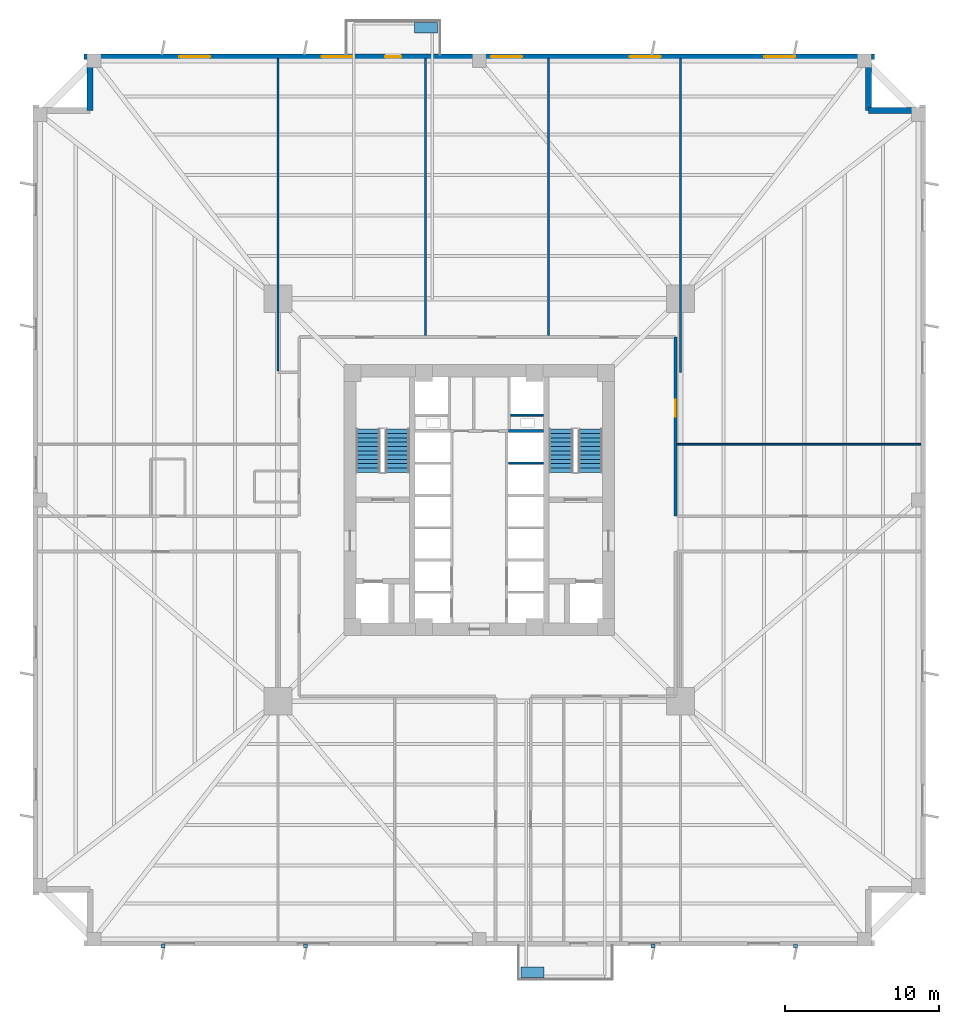
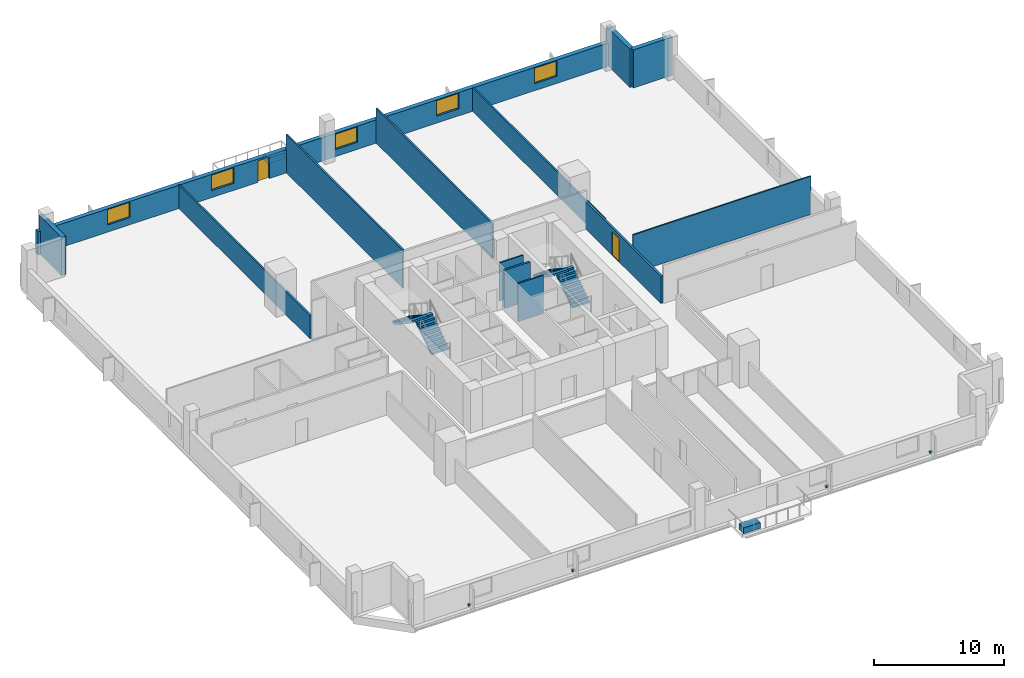
# One storey, part 5 of 8: 13 walls, 6 discrete accessories, 5 windows, 4 stair flights, 2 doors, 7 openings, 2 elements without a shape of their own.
"""IFC4 building model written with IfcOpenShell, lengths in metres."""

from ifc_helpers import new_model, si_unit, direction, frame, frame_2d, origin, origin_2d, place, context, subcontext, project, spatial, polyline, rectangle, outline, extrude, source, transform, mapped, material, layer, layer_set, type_object, element, fill, aggregate, save


model = new_model("IFC4")

# Units and contexts
model_context = context("Model", 3, precision=1e-05, world=origin(), true_north=direction((0.0, 1.0)))
body_context = subcontext(model_context, "Body", "Model", "MODEL_VIEW")
ifc_project = project(units=[si_unit("LENGTHUNIT", "METRE"), si_unit("AREAUNIT", "SQUARE_METRE"), si_unit("VOLUMEUNIT", "CUBIC_METRE"), si_unit("PLANEANGLEUNIT", "RADIAN"), si_unit("MASSUNIT", "GRAM", prefix="KILO"), si_unit("THERMODYNAMICTEMPERATUREUNIT", "KELVIN")], contexts=[model_context])

# Site, building, storey
site_placement = place(None, origin())
site = spatial("IfcSite", under=ifc_project, at=site_placement, CompositionType="ELEMENT")
building_placement = place(site_placement, origin())
building = spatial("IfcBuilding", under=site, at=building_placement, Name="Kosmvard Interchange Tower", CompositionType="ELEMENT")
storey_placement = place(building_placement, frame((0.0, 0.0, 74.0)))
storey = spatial("IfcBuildingStorey", under=building, at=storey_placement, Name="L17", CompositionType="ELEMENT", Elevation=74.0)

# Walls
ifc_material_1 = material(Name="Acoustic gypsum partition system")
ifc_layer_1 = layer(ifc_material_1, 0.14990234375, Name="Acoustic gypsum partition system")
ifc_layer_set_1 = layer_set([ifc_layer_1], Name="Acoustic gypsum partition system")
wall_type_1 = type_object("IfcWallType", Name="Acoustic Suite & Meeting Partition 150", PredefinedType="PARTITIONING", material=ifc_layer_set_1)
wall_1_placement = place(storey_placement, frame((-13.0810546875, 8.375, 0.0), z_axis=(0.0, 0.0, 1.0), x_axis=(0.0, 1.0, 0.0)))
element("IfcWall", 1, at=wall_1_placement, inside=storey, type_object=wall_type_1, Name="L17 Room Partition 02.1", PredefinedType="PARTITIONING", context=body_context, shape_type="SweptSolid", body=[
    extrude(rectangle(XDim=20.31005859375, YDim=0.14990234375, at=frame_2d((10.155029296875, 0.0))), origin(), (0.0, 0.0, 1.0), 2.199951171875),
])
wall_2_placement = place(storey_placement, frame((-3.5, 10.695068359375, 0.0), z_axis=(0.0, 0.0, 1.0), x_axis=(0.0, 1.0, 0.0)))
element("IfcWall", 2, at=wall_2_placement, inside=storey, type_object=wall_type_1, Name="L17 Room Partition 03.1", PredefinedType="PARTITIONING", context=body_context, shape_type="SweptSolid", body=[
    extrude(rectangle(XDim=17.989990234375, YDim=0.14990234375, at=frame_2d((8.9951171875, 0.0))), origin(), (0.0, 0.0, 1.0), 3.60009765625),
])
wall_3_placement = place(storey_placement, frame((4.5, 10.695068359375, 0.0), z_axis=(0.0, 0.0, 1.0), x_axis=(0.0, 1.0, 0.0)))
element("IfcWall", 3, at=wall_3_placement, inside=storey, type_object=wall_type_1, Name="L17 Room Partition 04.1", PredefinedType="PARTITIONING", context=body_context, shape_type="SweptSolid", body=[
    extrude(rectangle(XDim=17.989990234375, YDim=0.14990234375, at=frame_2d((8.9951171875, 0.0))), origin(), (0.0, 0.0, 1.0), 3.27001953125),
])
wall_4_placement = place(storey_placement, frame((13.0810546875, 8.300048828125, 0.0), z_axis=(0.0, 0.0, 1.0), x_axis=(0.0, 1.0, 0.0)))
element("IfcWall", 4, at=wall_4_placement, inside=storey, type_object=wall_type_1, Name="L17 Room Partition 06.1", PredefinedType="PARTITIONING", context=body_context, shape_type="SweptSolid", body=[
    extrude(rectangle(XDim=20.385009765625, YDim=0.14990234375, at=frame_2d((10.1923828125, 0.0))), origin(), (0.0, 0.0, 1.0), 2.199951171875),
])

# Wall, opening, door
ifc_material_2 = material(Name="Fire-rated gypsum partition system")
ifc_layer_2 = layer(ifc_material_2, 0.179931640625, Name="Fire-rated gypsum partition system")
ifc_layer_set_2 = layer_set([ifc_layer_2], Name="Fire-rated gypsum partition system")
wall_type_2 = type_object("IfcWallType", Name="Corridor & Hotel Compartment Partition 180", PredefinedType="PARTITIONING", material=ifc_layer_set_2)
wall_5_placement = place(storey_placement, frame((12.75, -1.050048828125, 0.0), z_axis=(0.0, 0.0, 1.0), x_axis=(0.0, 1.0, 0.0)))
wall_5 = element("IfcWall", 5, at=wall_5_placement, inside=storey, type_object=wall_type_2, Name="L17 Corridor Wall CEN", PredefinedType="PARTITIONING", context=body_context, shape_type="SweptSolid", body=[
    extrude(rectangle(XDim=11.650146484375, YDim=0.179931640625, at=frame_2d((5.8251953125, 0.0))), origin(), (0.0, 0.0, 1.0), 2.56005859375),
])
opening_1_placement = place(wall_5_placement, frame((6.46240234375, 0.0, 0.0)))
opening_1 = element("IfcOpeningElement", 6, at=opening_1_placement, cuts=wall_5, Name="Opening L17-D09", PredefinedType="OPENING", context=body_context, shape_type="SweptSolid", body=[
    extrude(rectangle(XDim=1.10009765625, YDim=2.199951171875, at=frame_2d((0.550048828125, 1.10009765625))), frame((0.0, 0.10009765625, 0.0), z_axis=(0.0, -1.0, 0.0), x_axis=(1.0, 0.0, 0.0)), (0.0, 0.0, 1.0), 0.199951171875),
])
ifc_material_3 = material(Name="Engineered oak fire-rated timber", Category="wood")
door_type_1 = type_object("IfcDoorType", Name="Office Suite Entrance Door 1100x2200 FD30S", OperationType="NOTDEFINED", PredefinedType="DOOR", material=ifc_material_3)
shared_shape_1 = source(origin(), body_context, "Body", "SweptSolid", [
    extrude(rectangle(XDim=1.10009765625, YDim=2.199951171875, at=frame_2d((0.550048828125, 1.10009765625))), frame((0.0, 0.02490234375, 0.0), z_axis=(0.0, -1.0, 0.0), x_axis=(1.0, 0.0, 0.0)), (0.0, 0.0, 1.0), 0.050048828125),
])
door_1_placement = place(opening_1_placement, frame((1.10009765625, 0.0, 0.0), z_axis=(0.0, 0.0, 1.0), x_axis=(-1.0, 0.0, 0.0)))
door_1 = element("IfcDoor", 7, at=door_1_placement, inside=storey, type_object=door_type_1, Name="L17 East Operations Office 2 Door", OperationType="SINGLE_SWING_LEFT", OverallHeight=2.199951171875, OverallWidth=1.10009765625, PredefinedType="DOOR", context=body_context, shape_type="MappedRepresentation", body=[
    mapped(shared_shape_1, transform((0.0, 0.0, 0.0), scale=1.0)),
])
fill(opening_1, door_1)

# Walls
ifc_material_4 = material(Name="Precast concrete C45/55", Category="concrete")
ifc_layer_3 = layer(ifc_material_4, 0.3798828125, Name="Precast concrete C45/55")
ifc_layer_set_3 = layer_set([ifc_layer_3], Name="Precast concrete C45/55")
wall_type_3 = type_object("IfcWallType", Name="Lower Tower Precast Pier Wall 380 C45/55", PredefinedType="STANDARD", material=ifc_layer_set_3)
wall_6_placement = place(storey_placement, frame((28.81005859375, 25.31005859375, 0.0), z_axis=(0.0, 0.0, 1.0), x_axis=(-1.0, 0.0, 0.0)))
element("IfcWall", 8, at=wall_6_placement, inside=storey, type_object=wall_type_3, Name="L17 Precast Facade Wall N-NE1", PredefinedType="STANDARD", context=body_context, shape_type="SweptSolid", body=[
    extrude(rectangle(XDim=3.5, YDim=0.3798828125, at=frame_2d((1.75, 0.0))), origin(), (0.0, 0.0, 1.0), 3.60009765625),
])
wall_7_placement = place(storey_placement, frame((25.31005859375, 25.31005859375, 0.0), z_axis=(0.0, 0.0, 1.0), x_axis=(0.0, 1.0, 0.0)))
element("IfcWall", 9, at=wall_7_placement, inside=storey, type_object=wall_type_3, Name="L17 Precast Facade Wall N-NE2", PredefinedType="STANDARD", context=body_context, shape_type="SweptSolid", body=[
    extrude(rectangle(XDim=3.68994140625, YDim=0.3798828125, at=frame_2d((1.844970703125, 0.0))), origin(), (0.0, 0.0, 1.0), 3.60009765625),
])

# Wall, openings, windows, door
wall_8_placement = place(storey_placement, frame((25.68994140625, 28.81005859375, 0.0), z_axis=(0.0, 0.0, 1.0), x_axis=(-1.0, 0.0, 0.0)))
wall_8 = element("IfcWall", 10, at=wall_8_placement, inside=storey, type_object=wall_type_3, Name="L17 Precast Facade Wall F-N", PredefinedType="STANDARD", context=body_context, shape_type="SweptSolid", body=[
    extrude(rectangle(XDim=51.3798828125, YDim=0.3798828125, at=frame_2d((25.68994140625, 0.0))), origin(), (0.0, 0.0, 1.0), 2.199951171875),
])
opening_2_placement = place(wall_8_placement, frame((30.764892578125, 0.0, 0.0)))
opening_2 = element("IfcOpeningElement", 11, at=opening_2_placement, cuts=wall_8, Name="Opening L17-BDE", PredefinedType="OPENING", context=body_context, shape_type="SweptSolid", body=[
    extrude(rectangle(XDim=1.050048828125, YDim=2.02001953125, at=frame_2d((0.52490234375, 1.010009765625))), frame((0.0, 0.199951171875, 0.0), z_axis=(0.0, -1.0, 0.0), x_axis=(1.0, 0.0, 0.0)), (0.0, 0.0, 1.0), 0.39990234375),
])
opening_3_placement = place(wall_8_placement, frame((5.16552734375, 0.0, 0.669921875)))
opening_3 = element("IfcOpeningElement", 12, at=opening_3_placement, cuts=wall_8, Name="Opening L17-W10", PredefinedType="OPENING", context=body_context, shape_type="SweptSolid", body=[
    extrude(rectangle(XDim=2.0, YDim=1.449951171875, at=frame_2d((1.0, 0.72509765625))), frame((0.0, 0.199951171875, 0.0), z_axis=(0.0, -1.0, 0.0), x_axis=(1.0, 0.0, 0.0)), (0.0, 0.0, 1.0), 0.39990234375),
])
opening_4_placement = place(wall_8_placement, frame((13.900146484375, 0.0, 0.669921875)))
opening_4 = element("IfcOpeningElement", 13, at=opening_4_placement, cuts=wall_8, Name="Opening L17-W11", PredefinedType="OPENING", context=body_context, shape_type="SweptSolid", body=[
    extrude(rectangle(XDim=2.0, YDim=1.449951171875, at=frame_2d((1.0, 0.72509765625))), frame((0.0, 0.199951171875, 0.0), z_axis=(0.0, -1.0, 0.0), x_axis=(1.0, 0.0, 0.0)), (0.0, 0.0, 1.0), 0.39990234375),
])
opening_5_placement = place(wall_8_placement, frame((22.912353515625, 0.0, 0.669921875)))
opening_5 = element("IfcOpeningElement", 14, at=opening_5_placement, cuts=wall_8, Name="Opening L17-W12", PredefinedType="OPENING", context=body_context, shape_type="SweptSolid", body=[
    extrude(rectangle(XDim=2.0, YDim=1.449951171875, at=frame_2d((1.0, 0.72509765625))), frame((0.0, 0.199951171875, 0.0), z_axis=(0.0, -1.0, 0.0), x_axis=(1.0, 0.0, 0.0)), (0.0, 0.0, 1.0), 0.39990234375),
])
opening_6_placement = place(wall_8_placement, frame((33.9384765625, 0.0, 0.669921875)))
opening_6 = element("IfcOpeningElement", 15, at=opening_6_placement, cuts=wall_8, Name="Opening L17-W13", PredefinedType="OPENING", context=body_context, shape_type="SweptSolid", body=[
    extrude(rectangle(XDim=2.0, YDim=1.449951171875, at=frame_2d((1.0, 0.72509765625))), frame((0.0, 0.199951171875, 0.0), z_axis=(0.0, -1.0, 0.0), x_axis=(1.0, 0.0, 0.0)), (0.0, 0.0, 1.0), 0.39990234375),
])
opening_7_placement = place(wall_8_placement, frame((43.186767578125, 0.0, 0.669921875)))
opening_7 = element("IfcOpeningElement", 16, at=opening_7_placement, cuts=wall_8, Name="Opening L17-W14", PredefinedType="OPENING", context=body_context, shape_type="SweptSolid", body=[
    extrude(rectangle(XDim=2.0, YDim=1.449951171875, at=frame_2d((1.0, 0.72509765625))), frame((0.0, 0.199951171875, 0.0), z_axis=(0.0, -1.0, 0.0), x_axis=(1.0, 0.0, 0.0)), (0.0, 0.0, 1.0), 0.39990234375),
])
ifc_material_5 = material(Name="Low-E solar-control double glazing", Category="glass")
window_type = type_object("IfcWindowType", Name="Transfer Zone Punched Window 2000x1450", PartitioningType="SINGLE_PANEL", PredefinedType="WINDOW", material=ifc_material_5)
shared_shape_2 = source(origin(), body_context, "Body", "SweptSolid", [
    extrude(rectangle(XDim=2.0, YDim=1.449951171875, at=frame_2d((1.0, 0.72509765625))), frame((0.0, 0.030029296875, 0.0), z_axis=(0.0, -1.0, 0.0), x_axis=(1.0, 0.0, 0.0)), (0.0, 0.0, 1.0), 0.06005859375),
])
window_1_placement = place(opening_3_placement, origin())
window_1 = element("IfcWindow", 17, at=window_1_placement, inside=storey, type_object=window_type, Name="L17 Facade Punched Window 10", OverallHeight=1.449951171875, OverallWidth=2.0, PartitioningType="SINGLE_PANEL", PredefinedType="WINDOW", context=body_context, shape_type="MappedRepresentation", body=[
    mapped(shared_shape_2, transform((0.0, 0.0, 0.0), scale=1.0)),
])
fill(opening_3, window_1)
window_2_placement = place(opening_4_placement, origin())
window_2 = element("IfcWindow", 18, at=window_2_placement, inside=storey, type_object=window_type, Name="L17 Facade Punched Window 11", OverallHeight=1.449951171875, OverallWidth=2.0, PartitioningType="SINGLE_PANEL", PredefinedType="WINDOW", context=body_context, shape_type="MappedRepresentation", body=[
    mapped(shared_shape_2, transform((0.0, 0.0, 0.0), scale=1.0)),
])
fill(opening_4, window_2)
window_3_placement = place(opening_5_placement, origin())
window_3 = element("IfcWindow", 19, at=window_3_placement, inside=storey, type_object=window_type, Name="L17 Facade Punched Window 12", OverallHeight=1.449951171875, OverallWidth=2.0, PartitioningType="SINGLE_PANEL", PredefinedType="WINDOW", context=body_context, shape_type="MappedRepresentation", body=[
    mapped(shared_shape_2, transform((0.0, 0.0, 0.0), scale=1.0)),
])
fill(opening_5, window_3)
window_4_placement = place(opening_6_placement, origin())
window_4 = element("IfcWindow", 20, at=window_4_placement, inside=storey, type_object=window_type, Name="L17 Facade Punched Window 13", OverallHeight=1.449951171875, OverallWidth=2.0, PartitioningType="SINGLE_PANEL", PredefinedType="WINDOW", context=body_context, shape_type="MappedRepresentation", body=[
    mapped(shared_shape_2, transform((0.0, 0.0, 0.0), scale=1.0)),
])
fill(opening_6, window_4)
window_5_placement = place(opening_7_placement, origin())
window_5 = element("IfcWindow", 21, at=window_5_placement, inside=storey, type_object=window_type, Name="L17 Facade Punched Window 14", OverallHeight=1.449951171875, OverallWidth=2.0, PartitioningType="SINGLE_PANEL", PredefinedType="WINDOW", context=body_context, shape_type="MappedRepresentation", body=[
    mapped(shared_shape_2, transform((0.0, 0.0, 0.0), scale=1.0)),
])
fill(opening_7, window_5)
ifc_material_6 = material(Name="Anodised aluminium and safety glass", Category="aluminium")
door_type_2 = type_object("IfcDoorType", Name="Tree-Balcony Glazed Door 1050x2250", OperationType="NOTDEFINED", PredefinedType="DOOR", material=ifc_material_6)
shared_shape_3 = source(origin(), body_context, "Body", "SweptSolid", [
    extrude(rectangle(XDim=1.050048828125, YDim=2.02001953125, at=frame_2d((0.52490234375, 1.010009765625))), frame((0.0, 0.02490234375, 0.0), z_axis=(0.0, -1.0, 0.0), x_axis=(1.0, 0.0, 0.0)), (0.0, 0.0, 1.0), 0.050048828125),
])
door_2_placement = place(opening_2_placement, origin())
door_2 = element("IfcDoor", 22, at=door_2_placement, inside=storey, type_object=door_type_2, Name="L17 Tree-Balcony Door BAL-L17-NE", OperationType="SINGLE_SWING_RIGHT", OverallHeight=2.02001953125, OverallWidth=1.050048828125, PredefinedType="DOOR", context=body_context, shape_type="MappedRepresentation", body=[
    mapped(shared_shape_3, transform((0.0, 0.0, 0.0), scale=1.0)),
])
fill(opening_2, door_2)

# Walls
wall_9_placement = place(storey_placement, frame((-25.31005859375, 28.81005859375, 0.0), z_axis=(0.0, 0.0, 1.0), x_axis=(0.0, -1.0, 0.0)))
element("IfcWall", 23, at=wall_9_placement, inside=storey, type_object=wall_type_3, Name="L17 Precast Facade Wall N-NW1", PredefinedType="STANDARD", context=body_context, shape_type="SweptSolid", body=[
    extrude(rectangle(XDim=3.5, YDim=0.3798828125, at=frame_2d((1.75, 0.0))), origin(), (0.0, 0.0, 1.0), 3.60009765625),
])
ifc_material_7 = material(Name="Gypsum board partition system")
ifc_layer_4 = layer(ifc_material_7, 0.1201171875, Name="Gypsum board partition system")
ifc_layer_set_4 = layer_set([ifc_layer_4], Name="Gypsum board partition system")
wall_type_4 = type_object("IfcWallType", Name="Office Cellular Partition 120", PredefinedType="PARTITIONING", material=ifc_layer_set_4)
wall_10_placement = place(storey_placement, frame((12.844970703125, 3.625, 0.0), z_axis=(0.0, 0.0, 1.0), x_axis=(1.0, 0.0, 0.0)))
element("IfcWall", 24, at=wall_10_placement, inside=storey, type_object=wall_type_4, Name="L17 Room Partition 08.1", PredefinedType="PARTITIONING", context=body_context, shape_type="SweptSolid", body=[
    extrude(rectangle(XDim=15.840087890625, YDim=0.1201171875, at=frame_2d((7.919921875, 0.0))), origin(), (0.0, 0.0, 1.0), 3.60009765625),
])
ifc_material_8 = material(Name="Concrete blockwork masonry", Category="masonry")
ifc_layer_5 = layer(ifc_material_8, 0.179931640625, Name="Concrete blockwork masonry")
ifc_layer_set_5 = layer_set([ifc_layer_5], Name="Concrete blockwork masonry")
wall_type_5 = type_object("IfcWallType", Name="Riser & Lift Bank Divider Wall 180", PredefinedType="PARTITIONING", material=ifc_layer_set_5)
wall_11_placement = place(storey_placement, frame((1.889892578125, 4.489990234375, 0.0), z_axis=(0.0, 0.0, 1.0), x_axis=(1.0, 0.0, 0.0)))
element("IfcWall", 25, at=wall_11_placement, inside=storey, type_object=wall_type_5, Name="L17 East Bank Divider BD3", PredefinedType="PARTITIONING", context=body_context, shape_type="SweptSolid", body=[
    extrude(rectangle(XDim=2.280029296875, YDim=0.179931640625, at=frame_2d((1.14013671875, 0.0))), origin(), (0.0, 0.0, 1.0), 3.60009765625),
])
ifc_material_9 = material(Name="Fire-rated gypsum shaftwall system")
ifc_layer_6 = layer(ifc_material_9, 0.1201171875, Name="Fire-rated gypsum shaftwall system")
ifc_layer_set_6 = layer_set([ifc_layer_6], Name="Fire-rated gypsum shaftwall system")
wall_type_6 = type_object("IfcWallType", Name="Shaft & Riser Fire Partition 120 EI60", PredefinedType="PARTITIONING", material=ifc_layer_set_6)
wall_12_placement = place(storey_placement, frame((1.89990234375, 2.39990234375, 0.0), z_axis=(0.0, 0.0, 1.0), x_axis=(1.0, 0.0, 0.0)))
element("IfcWall", 26, at=wall_12_placement, inside=storey, type_object=wall_type_6, Name="L17 Shaft Divider PL-H3", PredefinedType="PARTITIONING", context=body_context, shape_type="SweptSolid", body=[
    extrude(rectangle(XDim=2.260009765625, YDim=0.1201171875, at=frame_2d((1.1298828125, 0.0))), origin(), (0.0, 0.0, 1.0), 3.60009765625),
])
wall_13_placement = place(storey_placement, frame((2.06005859375, 5.52001953125, 0.0), z_axis=(0.0, 0.0, 1.0), x_axis=(1.0, 0.0, 0.0)))
element("IfcWall", 27, at=wall_13_placement, inside=storey, type_object=wall_type_6, Name="L17 Riser Shaft Divider E", PredefinedType="PARTITIONING", context=body_context, shape_type="SweptSolid", body=[
    extrude(rectangle(XDim=2.099853515625, YDim=0.1201171875, at=frame_2d((1.0498046875, 0.0))), origin(), (0.0, 0.0, 1.0), 3.60009765625),
])

# Stair, stair flights
ifc_material_10 = material(Name="Concrete C50/60", Category="concrete")
stair_type = type_object("IfcStairType", Name="Dog-Leg Core Exit Stair H4000 C50/60", PredefinedType="HALF_TURN_STAIR", material=ifc_material_10)
stair_1_placement = place(storey_placement, origin())
stair_1 = element("IfcStair", 28, at=stair_1_placement, inside=storey, type_object=stair_type, Name="L17 Protected Exit Stair ST-1", PredefinedType="HALF_TURN_STAIR")
stair_flight_type = type_object("IfcStairFlightType", Name="Core Stair Flight W1550 H4000 C50/60", PredefinedType="STRAIGHT", material=ifc_material_10)
shared_shape_4 = source(origin(), body_context, "Body", "SweptSolid", [
    extrude(outline(polyline([(0.0, 0.0), (0.0, 0.181884765625), (0.280029296875, 0.181884765625), (0.280029296875, 0.363525390625), (0.56005859375, 0.363525390625), (0.56005859375, 0.54541015625), (0.840087890625, 0.54541015625), (0.840087890625, 0.727294921875), (1.1201171875, 0.727294921875), (1.1201171875, 0.9091796875), (1.39990234375, 0.9091796875), (1.39990234375, 1.0908203125), (1.679931640625, 1.0908203125), (1.679931640625, 1.272705078125), (1.9599609375, 1.272705078125), (1.9599609375, 1.45458984375), (2.239990234375, 1.45458984375), (2.239990234375, 1.636474609375), (2.52001953125, 1.636474609375), (2.52001953125, 1.818115234375), (2.800048828125, 1.818115234375), (2.800048828125, 2.0), (2.800048828125, 1.62744140625), (0.293701171875, 0.0), (0.0, 0.0)])), frame((0.0, 0.77490234375, 0.0), z_axis=(0.0, -1.0, 0.0), x_axis=(1.0, 0.0, 0.0)), (0.0, 0.0, 1.0), 1.550048828125),
])
stair_flight_1_placement = place(storey_placement, frame((-5.31494140625, 1.800048828125, 0.0), z_axis=(0.0, 0.0, 1.0), x_axis=(0.0, 1.0, 0.0)))
stair_flight_1 = element("IfcStairFlight", 29, at=stair_flight_1_placement, type_object=stair_flight_type, Name="ST-1 flight 1", NumberOfRisers=11, NumberOfTreads=10, PredefinedType="STRAIGHT", RiserHeight=0.181818182, TreadLength=0.28, context=body_context, shape_type="MappedRepresentation", body=[
    mapped(shared_shape_4, transform((0.0, 0.0, 0.0), scale=1.0)),
])
stair_flight_2_placement = place(storey_placement, frame((-7.22509765625, 4.60009765625, 2.0), z_axis=(0.0, 0.0, 1.0), x_axis=(0.0, -1.0, 0.0)))
stair_flight_2 = element("IfcStairFlight", 30, at=stair_flight_2_placement, type_object=stair_flight_type, Name="ST-1 flight 2", NumberOfRisers=11, NumberOfTreads=10, PredefinedType="STRAIGHT", RiserHeight=0.181818182, TreadLength=0.28, context=body_context, shape_type="MappedRepresentation", body=[
    mapped(shared_shape_4, transform((0.0, 0.0, 0.0), scale=1.0)),
])
aggregate(stair_1, [stair_flight_1, stair_flight_2])

stair_2_placement = place(storey_placement, origin())
stair_2 = element("IfcStair", 31, at=stair_2_placement, inside=storey, type_object=stair_type, Name="L17 Protected Exit Stair ST-2", PredefinedType="HALF_TURN_STAIR")
stair_flight_3_placement = place(storey_placement, frame((7.22509765625, 1.800048828125, 0.0), z_axis=(0.0, 0.0, 1.0), x_axis=(0.0, 1.0, 0.0)))
stair_flight_3 = element("IfcStairFlight", 32, at=stair_flight_3_placement, type_object=stair_flight_type, Name="ST-2 flight 1", NumberOfRisers=11, NumberOfTreads=10, PredefinedType="STRAIGHT", RiserHeight=0.181818182, TreadLength=0.28, context=body_context, shape_type="MappedRepresentation", body=[
    mapped(shared_shape_4, transform((0.0, 0.0, 0.0), scale=1.0)),
])
stair_flight_4_placement = place(storey_placement, frame((5.31494140625, 4.60009765625, 2.0), z_axis=(0.0, 0.0, 1.0), x_axis=(0.0, -1.0, 0.0)))
stair_flight_4 = element("IfcStairFlight", 33, at=stair_flight_4_placement, type_object=stair_flight_type, Name="ST-2 flight 2", NumberOfRisers=11, NumberOfTreads=10, PredefinedType="STRAIGHT", RiserHeight=0.181818182, TreadLength=0.28, context=body_context, shape_type="MappedRepresentation", body=[
    mapped(shared_shape_4, transform((0.0, 0.0, 0.0), scale=1.0)),
])
aggregate(stair_2, [stair_flight_3, stair_flight_4])

# Discrete accessories
ifc_material_11 = material(Name="Terracotta precast planter concrete C45/55", Category="masonry")
discrete_accessory_type_1 = type_object("IfcDiscreteAccessoryType", Name="Precast Tree-Balcony & Terrace Planter Box", PredefinedType="USERDEFINED", material=ifc_material_11)
shared_shape_5 = source(origin(), body_context, "Body", "SweptSolid", [
    extrude(rectangle(XDim=1.5, YDim=0.699951171875, at=origin_2d()), origin(), (0.0, 0.0, 1.0), 0.550048828125),
])
for number, where, z_axis, x_axis, name in (
    (34, (3.449951171875, -30.699951171875, 0.0), (0.0, 0.0, 1.0), (1.0, 0.0, 0.0), "L17 Balcony Tree Planter BAL-L17-SW"),
    (35, (-3.449951171875, 30.699951171875, 0.0), (0.0, 0.0, 1.0), (1.0, 0.0, 0.0), "L17 Balcony Tree Planter BAL-L17-NE"),
):
    element("IfcDiscreteAccessory", number, at=place(storey_placement, frame(where, z_axis=z_axis, x_axis=x_axis)), inside=storey, type_object=discrete_accessory_type_1, Name=name, ObjectType="PLANTER", PredefinedType="USERDEFINED", context=body_context, shape_type="MappedRepresentation", body=[
        mapped(shared_shape_5, transform((0.0, 0.0, 0.0), scale=1.0)),
    ])
ifc_material_12 = material(Name="Steel S355", Category="steel")
discrete_accessory_type_2 = type_object("IfcDiscreteAccessoryType", Name="Facade Fin Structural Cleat Bracket", PredefinedType="BRACKET", material=ifc_material_12)
shared_shape_6 = source(origin(), body_context, "Body", "SweptSolid", [
    extrude(rectangle(XDim=0.239990234375, YDim=0.260009765625, at=origin_2d()), origin(), (0.0, 0.0, 1.0), 0.179931640625),
])
for number, where, z_axis, x_axis, name in (
    (36, (-20.552001953125, -29.0, 0.16015625), (0.0, 0.0, 1.0), (0.0, -1.0, 0.0), "L17 Sun-Breaker Anchor Bracket 01"),
    (37, (-11.3037109375, -29.0, 0.16015625), (0.0, 0.0, 1.0), (0.0, -1.0, 0.0), "L17 Sun-Breaker Anchor Bracket 02"),
    (38, (11.3037109375, -29.0, 0.16015625), (0.0, 0.0, 1.0), (0.0, -1.0, 0.0), "L17 Sun-Breaker Anchor Bracket 03"),
    (39, (20.552001953125, -29.0, 0.16015625), (0.0, 0.0, 1.0), (0.0, -1.0, 0.0), "L17 Sun-Breaker Anchor Bracket 04"),
):
    element("IfcDiscreteAccessory", number, at=place(storey_placement, frame(where, z_axis=z_axis, x_axis=x_axis)), inside=storey, type_object=discrete_accessory_type_2, Name=name, PredefinedType="BRACKET", context=body_context, shape_type="MappedRepresentation", body=[
        mapped(shared_shape_6, transform((0.0, 0.0, 0.0), scale=1.0)),
    ])

save(model, "model.ifc")
